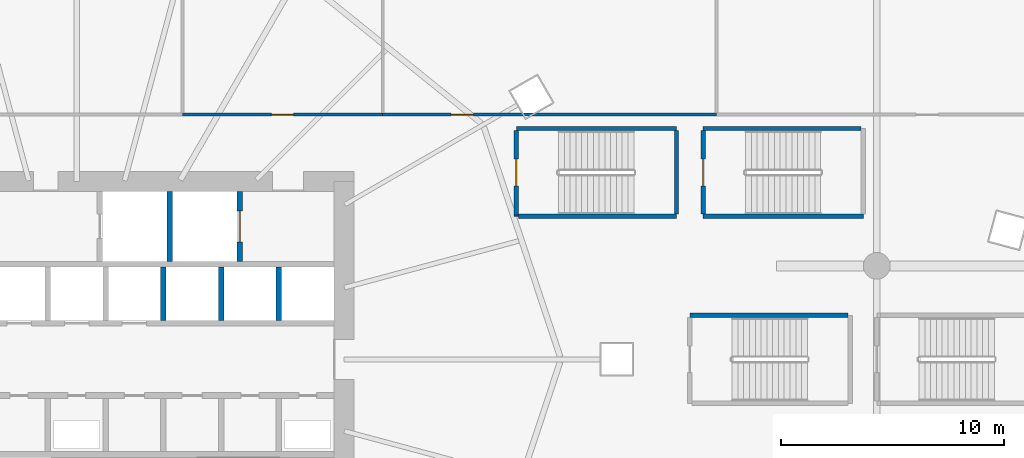
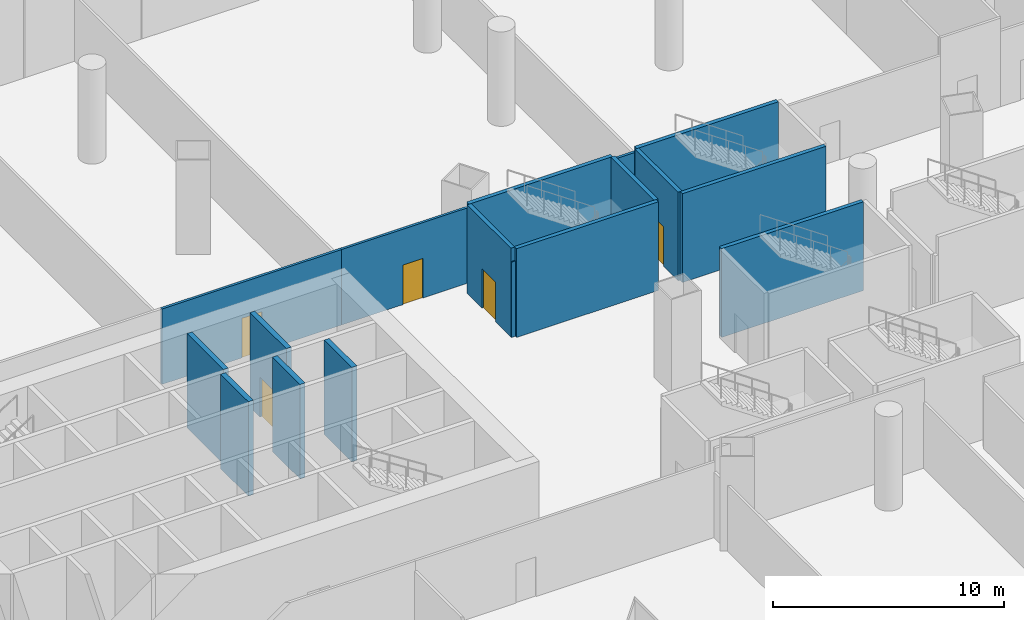
# One storey, part 37 of 51: 16 walls, 5 doors, 5 openings.
"""IFC4 building model written with IfcOpenShell, lengths in metres."""

from ifc_helpers import new_model, si_unit, direction, frame, frame_2d, origin, place, context, subcontext, project, spatial, rectangle, extrude, material, layer, layer_set, type_object, element, fill, save


model = new_model("IFC4")

# Units and contexts
model_context = context("Model", 3, precision=1e-05, world=origin(), true_north=direction((0.0, 1.0)))
body_context = subcontext(model_context, "Body", "Model", "MODEL_VIEW")
ifc_project = project(units=[si_unit("LENGTHUNIT", "METRE"), si_unit("AREAUNIT", "SQUARE_METRE"), si_unit("VOLUMEUNIT", "CUBIC_METRE"), si_unit("PLANEANGLEUNIT", "RADIAN"), si_unit("MASSUNIT", "GRAM", prefix="KILO")], contexts=[model_context])

# Site, building, storey
site_placement = place(None, origin())
site = spatial("IfcSite", under=ifc_project, at=site_placement, CompositionType="ELEMENT")
building_placement = place(site_placement, origin())
building = spatial("IfcBuilding", under=site, at=building_placement, Name="Rimbun Link Towers", CompositionType="ELEMENT")
storey_placement = place(building_placement, frame((0.0, 0.0, 7.0)))
storey = spatial("IfcBuildingStorey", under=building, at=storey_placement, Name="L01", CompositionType="ELEMENT", Elevation=7.0)

# Wall, opening, door
ifc_material_1 = material(Name="Gypsum board on steel studs", Category="steel")
ifc_layer_1 = layer(ifc_material_1, 0.125)
ifc_layer_set_1 = layer_set([ifc_layer_1], Name="Partition 125 board on studs")
wall_type_1 = type_object("IfcWallType", Name="Partition 125 board on studs", PredefinedType="PARTITIONING", material=ifc_layer_set_1)
wall_1_placement = place(storey_placement, frame((-18.0, 11.0, 0.0), z_axis=(0.0, 0.0, 1.0), x_axis=(-1.0, 0.0, 0.0)))
wall_1 = element("IfcWall", 1, at=wall_1_placement, inside=storey, type_object=wall_type_1, Name="PD/PW/L01/040", PredefinedType="PARTITIONING", context=body_context, shape_type="SweptSolid", body=[
    extrude(rectangle(XDim=9.0, YDim=0.125, at=frame_2d((4.5, 0.0))), origin(), (0.0, 0.0, 1.0), 3.99609375),
])
opening_1_placement = place(wall_1_placement, frame((4.0, 0.0, 0.0)))
opening_1 = element("IfcOpeningElement", 2, at=opening_1_placement, cuts=wall_1, Name="Opening PD D01.28", PredefinedType="OPENING", context=body_context, shape_type="SweptSolid", body=[
    extrude(rectangle(XDim=1.0, YDim=2.10009765625, at=frame_2d((0.5, 1.050048828125))), frame((0.0, 0.072509765625, 0.0), z_axis=(0.0, -1.0, 0.0), x_axis=(1.0, 0.0, 0.0)), (0.0, 0.0, 1.0), 0.14501953125),
])
ifc_material_2 = material(Name="Timber door set", Category="wood")
door_type_1 = type_object("IfcDoorType", Name="Door single leaf 1000 x 2100", OperationType="NOTDEFINED", PredefinedType="DOOR", material=ifc_material_2)
door_1_placement = place(opening_1_placement, origin())
door_1 = element("IfcDoor", 3, at=door_1_placement, inside=storey, type_object=door_type_1, Name="PD/DR/L01/028", OperationType="SINGLE_SWING_LEFT", OverallHeight=2.10009765625, OverallWidth=1.0, PredefinedType="DOOR", context=body_context, shape_type="SweptSolid", body=[
    extrude(rectangle(XDim=1.0, YDim=2.10009765625, at=frame_2d((0.5, 1.050048828125))), frame((0.0, 0.02490234375, 0.0), z_axis=(0.0, -1.0, 0.0), x_axis=(1.0, 0.0, 0.0)), (0.0, 0.0, 1.0), 0.050048828125),
])
fill(opening_1, door_1)

wall_2_placement = place(storey_placement, frame((-3.0, 11.0, 0.0), z_axis=(0.0, 0.0, 1.0), x_axis=(-1.0, 0.0, 0.0)))
wall_2 = element("IfcWall", 4, at=wall_2_placement, inside=storey, type_object=wall_type_1, Name="PD/PW/L01/041", PredefinedType="PARTITIONING", context=body_context, shape_type="SweptSolid", body=[
    extrude(rectangle(XDim=15.0, YDim=0.125, at=frame_2d((7.5, 0.0))), origin(), (0.0, 0.0, 1.0), 3.99609375),
])
opening_2_placement = place(wall_2_placement, frame((10.929931640625, 0.0, 0.0)))
opening_2 = element("IfcOpeningElement", 5, at=opening_2_placement, cuts=wall_2, Name="Opening PD D01.29", PredefinedType="OPENING", context=body_context, shape_type="SweptSolid", body=[
    extrude(rectangle(XDim=1.0, YDim=2.10009765625, at=frame_2d((0.5, 1.050048828125))), frame((0.0, 0.072509765625, 0.0), z_axis=(0.0, -1.0, 0.0), x_axis=(1.0, 0.0, 0.0)), (0.0, 0.0, 1.0), 0.14501953125),
])
door_2_placement = place(opening_2_placement, origin())
door_2 = element("IfcDoor", 6, at=door_2_placement, inside=storey, type_object=door_type_1, Name="PD/DR/L01/029", OperationType="SINGLE_SWING_RIGHT", OverallHeight=2.10009765625, OverallWidth=1.0, PredefinedType="DOOR", context=body_context, shape_type="SweptSolid", body=[
    extrude(rectangle(XDim=1.0, YDim=2.10009765625, at=frame_2d((0.5, 1.050048828125))), frame((0.0, 0.02490234375, 0.0), z_axis=(0.0, -1.0, 0.0), x_axis=(1.0, 0.0, 0.0)), (0.0, 0.0, 1.0), 0.050048828125),
])
fill(opening_2, door_2)

# Walls
ifc_material_3 = material(Name="Concrete C60/75", Category="concrete")
ifc_layer_2 = layer(ifc_material_3, 0.25)
ifc_layer_set_2 = layer_set([ifc_layer_2], Name="Shaft wall 250")
wall_type_2 = type_object("IfcWallType", Name="Shaft wall 250", PredefinedType="SHEAR", material=ifc_layer_set_2)
for number, where, z_axis, x_axis, name in (
    (7, (-27.8583984375, 1.75, 0.0), (0.0, 0.0, 1.0), (0.0, 1.0, 0.0), "L01 T1 core wall DN5"),
    (8, (-25.263916015625, 1.75, 0.0), (0.0, 0.0, 1.0), (0.0, 1.0, 0.0), "L01 T1 core wall DN6"),
    (9, (-22.66943359375, 1.75, 0.0), (0.0, 0.0, 1.0), (0.0, 1.0, 0.0), "L01 T1 core wall DN7"),
):
    element("IfcWall", number, at=place(storey_placement, frame(where, z_axis=z_axis, x_axis=x_axis)), inside=storey, type_object=wall_type_2, Name=name, PredefinedType="SHEAR", context=body_context, shape_type="SweptSolid", body=[
        extrude(rectangle(XDim=2.39990234375, YDim=0.25, at=frame_2d((1.199951171875, 0.0))), origin(), (0.0, 0.0, 1.0), 5.0),
    ])
wall_3_placement = place(storey_placement, frame((-27.574951171875, 4.39990234375, 0.0), z_axis=(0.0, 0.0, 1.0), x_axis=(0.0, 1.0, 0.0)))
element("IfcWall", 10, at=wall_3_placement, inside=storey, type_object=wall_type_2, Name="L01 T1 core wall A3", PredefinedType="SHEAR", context=body_context, shape_type="SweptSolid", body=[
    extrude(rectangle(XDim=3.150146484375, YDim=0.25, at=frame_2d((1.5751953125, 0.0))), origin(), (0.0, 0.0, 1.0), 5.0),
])

# Wall, opening, door
wall_4_placement = place(storey_placement, frame((-24.425048828125, 4.39990234375, 0.0), z_axis=(0.0, 0.0, 1.0), x_axis=(0.0, 1.0, 0.0)))
wall_4 = element("IfcWall", 11, at=wall_4_placement, inside=storey, type_object=wall_type_2, Name="L01 T1 core wall A4", PredefinedType="SHEAR", context=body_context, shape_type="SweptSolid", body=[
    extrude(rectangle(XDim=3.150146484375, YDim=0.25, at=frame_2d((1.5751953125, 0.0))), origin(), (0.0, 0.0, 1.0), 5.0),
])
opening_3_placement = place(wall_4_placement, frame((0.875, 0.0, 0.0)))
opening_3 = element("IfcOpeningElement", 12, at=opening_3_placement, cuts=wall_4, Name="Opening LD-T1-GL1", PredefinedType="OPENING", context=body_context, shape_type="SweptSolid", body=[
    extrude(rectangle(XDim=1.39990234375, YDim=2.10009765625, at=frame_2d((0.699951171875, 1.050048828125))), frame((0.0, 0.135009765625, 0.0), z_axis=(0.0, -1.0, 0.0), x_axis=(1.0, 0.0, 0.0)), (0.0, 0.0, 1.0), 0.27001953125),
])
ifc_material_4 = material(Name="Stainless steel grade 316", Category="steel")
door_type_2 = type_object("IfcDoorType", Name="Goods lift landing door", OperationType="DOUBLE_DOOR_SLIDING", PredefinedType="DOOR", material=ifc_material_4)
door_3_placement = place(opening_3_placement, origin())
door_3 = element("IfcDoor", 13, at=door_3_placement, inside=storey, type_object=door_type_2, Name="L01 T1 lift GL1 landing door", OperationType="DOUBLE_DOOR_SLIDING", OverallHeight=2.10009765625, OverallWidth=1.39990234375, PredefinedType="DOOR", context=body_context, shape_type="SweptSolid", body=[
    extrude(rectangle(XDim=1.39990234375, YDim=2.10009765625, at=frame_2d((0.699951171875, 1.050048828125))), frame((0.0, 0.02490234375, 0.0), z_axis=(0.0, -1.0, 0.0), x_axis=(1.0, 0.0, 0.0)), (0.0, 0.0, 1.0), 0.050048828125),
])
fill(opening_3, door_3)

# Wall
ifc_material_5 = material(Name="Concrete C40/50", Category="concrete")
ifc_layer_3 = layer(ifc_material_5, 0.199951171875)
ifc_layer_set_3 = layer_set([ifc_layer_3], Name="Stair shaft wall 200")
wall_type_3 = type_object("IfcWallType", Name="Stair shaft wall 200", PredefinedType="SOLIDWALL", material=ifc_layer_set_3)
wall_5_placement = place(storey_placement, frame((-4.800048828125, 10.375, 0.0), z_axis=(0.0, 0.0, 1.0), x_axis=(-1.0, 0.0, 0.0)))
element("IfcWall", 14, at=wall_5_placement, inside=storey, type_object=wall_type_3, Name="PD/PW/L01/009", PredefinedType="SOLIDWALL", context=body_context, shape_type="SweptSolid", body=[
    extrude(rectangle(XDim=7.199951171875, YDim=0.199951171875, at=frame_2d((3.60009765625, 0.0))), origin(), (0.0, 0.0, 1.0), 4.699951171875),
])

# Wall, opening, door
wall_6_placement = place(storey_placement, frame((-12.0, 10.27490234375, 0.0), z_axis=(0.0, 0.0, 1.0), x_axis=(0.0, -1.0, 0.0)))
wall_6 = element("IfcWall", 15, at=wall_6_placement, inside=storey, type_object=wall_type_3, Name="PD/PW/L01/010", PredefinedType="SOLIDWALL", context=body_context, shape_type="SweptSolid", body=[
    extrude(rectangle(XDim=3.794677734375, YDim=0.199951171875, at=frame_2d((1.8974609375, 0.0))), origin(), (0.0, 0.0, 1.0), 4.699951171875),
])
opening_4_placement = place(wall_6_placement, frame((1.27490234375, 0.0, 0.0)))
opening_4 = element("IfcOpeningElement", 16, at=opening_4_placement, cuts=wall_6, Name="Opening PD DS3", PredefinedType="OPENING", context=body_context, shape_type="SweptSolid", body=[
    extrude(rectangle(XDim=1.199951171875, YDim=2.10009765625, at=frame_2d((0.60009765625, 1.050048828125))), frame((0.0, 0.10986328125, 0.0), z_axis=(0.0, -1.0, 0.0), x_axis=(1.0, 0.0, 0.0)), (0.0, 0.0, 1.0), 0.219970703125),
])
ifc_material_6 = material(Name="Steel fire door set", Category="steel")
door_type_3 = type_object("IfcDoorType", Name="Stair door", OperationType="SINGLE_SWING_LEFT", PredefinedType="DOOR", material=ifc_material_6)
door_4_placement = place(opening_4_placement, frame((1.199951171875, 0.0, 0.0), z_axis=(0.0, 0.0, 1.0), x_axis=(-1.0, 0.0, 0.0)))
door_4 = element("IfcDoor", 17, at=door_4_placement, inside=storey, type_object=door_type_3, Name="PD/DR/L01/S3", OperationType="SINGLE_SWING_LEFT", OverallHeight=2.10009765625, OverallWidth=1.199951171875, PredefinedType="DOOR", context=body_context, shape_type="SweptSolid", body=[
    extrude(rectangle(XDim=1.199951171875, YDim=2.10009765625, at=frame_2d((0.60009765625, 1.050048828125))), frame((0.0, 0.02490234375, 0.0), z_axis=(0.0, -1.0, 0.0), x_axis=(1.0, 0.0, 0.0)), (0.0, 0.0, 1.0), 0.050048828125),
])
fill(opening_4, door_4)

# Walls
wall_7_placement = place(storey_placement, frame((-12.0, 6.480224609375, 0.0), z_axis=(0.0, 0.0, 1.0), x_axis=(0.0, -1.0, 0.0)))
element("IfcWall", 18, at=wall_7_placement, inside=storey, type_object=wall_type_3, Name="PD/PW/L01/010b", PredefinedType="SOLIDWALL", context=body_context, shape_type="SweptSolid", body=[
    extrude(rectangle(XDim=0.05517578125, YDim=0.199951171875, at=frame_2d((0.027587890625, 0.0))), origin(), (0.0, 0.0, 1.0), 3.99609375),
])
wall_8_placement = place(storey_placement, frame((-11.89990234375, 6.425048828125, 0.0), z_axis=(0.0, 0.0, 1.0), x_axis=(1.0, 0.0, 0.0)))
element("IfcWall", 19, at=wall_8_placement, inside=storey, type_object=wall_type_3, Name="PD/PW/L01/011", PredefinedType="SOLIDWALL", context=body_context, shape_type="SweptSolid", body=[
    extrude(rectangle(XDim=7.099853515625, YDim=0.199951171875, at=frame_2d((3.5498046875, 0.0))), origin(), (0.0, 0.0, 1.0), 4.699951171875),
])
wall_9_placement = place(storey_placement, frame((-4.800048828125, 6.52490234375, 0.0), z_axis=(0.0, 0.0, 1.0), x_axis=(0.0, 1.0, 0.0)))
element("IfcWall", 20, at=wall_9_placement, inside=storey, type_object=wall_type_3, Name="PD/PW/L01/012", PredefinedType="SOLIDWALL", context=body_context, shape_type="SweptSolid", body=[
    extrude(rectangle(XDim=3.75, YDim=0.199951171875, at=frame_2d((1.875, 0.0))), origin(), (0.0, 0.0, 1.0), 4.699951171875),
])
wall_10_placement = place(storey_placement, frame((-3.60009765625, 6.425048828125, 0.0), z_axis=(0.0, 0.0, 1.0), x_axis=(1.0, 0.0, 0.0)))
element("IfcWall", 21, at=wall_10_placement, inside=storey, type_object=wall_type_3, Name="PD/PW/L01/013", PredefinedType="SOLIDWALL", context=body_context, shape_type="SweptSolid", body=[
    extrude(rectangle(XDim=7.2001953125, YDim=0.199951171875, at=frame_2d((3.60009765625, 0.0))), origin(), (0.0, 0.0, 1.0), 4.699951171875),
])
wall_11_placement = place(storey_placement, frame((3.5, 10.375, 0.0), z_axis=(0.0, 0.0, 1.0), x_axis=(-1.0, 0.0, 0.0)))
element("IfcWall", 22, at=wall_11_placement, inside=storey, type_object=wall_type_3, Name="PD/PW/L01/015", PredefinedType="SOLIDWALL", context=body_context, shape_type="SweptSolid", body=[
    extrude(rectangle(XDim=7.10009765625, YDim=0.199951171875, at=frame_2d((3.550048828125, 0.0))), origin(), (0.0, 0.0, 1.0), 4.699951171875),
])

# Wall, opening, door
wall_12_placement = place(storey_placement, frame((-3.60009765625, 10.27490234375, 0.0), z_axis=(0.0, 0.0, 1.0), x_axis=(0.0, -1.0, 0.0)))
wall_12 = element("IfcWall", 23, at=wall_12_placement, inside=storey, type_object=wall_type_3, Name="PD/PW/L01/016", PredefinedType="SOLIDWALL", context=body_context, shape_type="SweptSolid", body=[
    extrude(rectangle(XDim=3.75, YDim=0.199951171875, at=frame_2d((1.875, 0.0))), origin(), (0.0, 0.0, 1.0), 4.699951171875),
])
opening_5_placement = place(wall_12_placement, frame((1.27490234375, 0.0, 0.0)))
opening_5 = element("IfcOpeningElement", 24, at=opening_5_placement, cuts=wall_12, Name="Opening PD DS4", PredefinedType="OPENING", context=body_context, shape_type="SweptSolid", body=[
    extrude(rectangle(XDim=1.199951171875, YDim=2.10009765625, at=frame_2d((0.60009765625, 1.050048828125))), frame((0.0, 0.10986328125, 0.0), z_axis=(0.0, -1.0, 0.0), x_axis=(1.0, 0.0, 0.0)), (0.0, 0.0, 1.0), 0.219970703125),
])
door_5_placement = place(opening_5_placement, frame((1.199951171875, 0.0, 0.0), z_axis=(0.0, 0.0, 1.0), x_axis=(-1.0, 0.0, 0.0)))
door_5 = element("IfcDoor", 25, at=door_5_placement, inside=storey, type_object=door_type_3, Name="PD/DR/L01/S4", OperationType="SINGLE_SWING_LEFT", OverallHeight=2.10009765625, OverallWidth=1.199951171875, PredefinedType="DOOR", context=body_context, shape_type="SweptSolid", body=[
    extrude(rectangle(XDim=1.199951171875, YDim=2.10009765625, at=frame_2d((0.60009765625, 1.050048828125))), frame((0.0, 0.02490234375, 0.0), z_axis=(0.0, -1.0, 0.0), x_axis=(1.0, 0.0, 0.0)), (0.0, 0.0, 1.0), 0.050048828125),
])
fill(opening_5, door_5)

# Wall
wall_13_placement = place(storey_placement, frame((2.89990234375, 1.97509765625, 0.0), z_axis=(0.0, 0.0, 1.0), x_axis=(-1.0, 0.0, 0.0)))
element("IfcWall", 26, at=wall_13_placement, inside=storey, type_object=wall_type_3, Name="PD/PW/L01/022", PredefinedType="SOLIDWALL", context=body_context, shape_type="SweptSolid", body=[
    extrude(rectangle(XDim=7.099853515625, YDim=0.199951171875, at=frame_2d((3.5498046875, 0.0))), origin(), (0.0, 0.0, 1.0), 4.699951171875),
])

save(model, "model.ifc")
